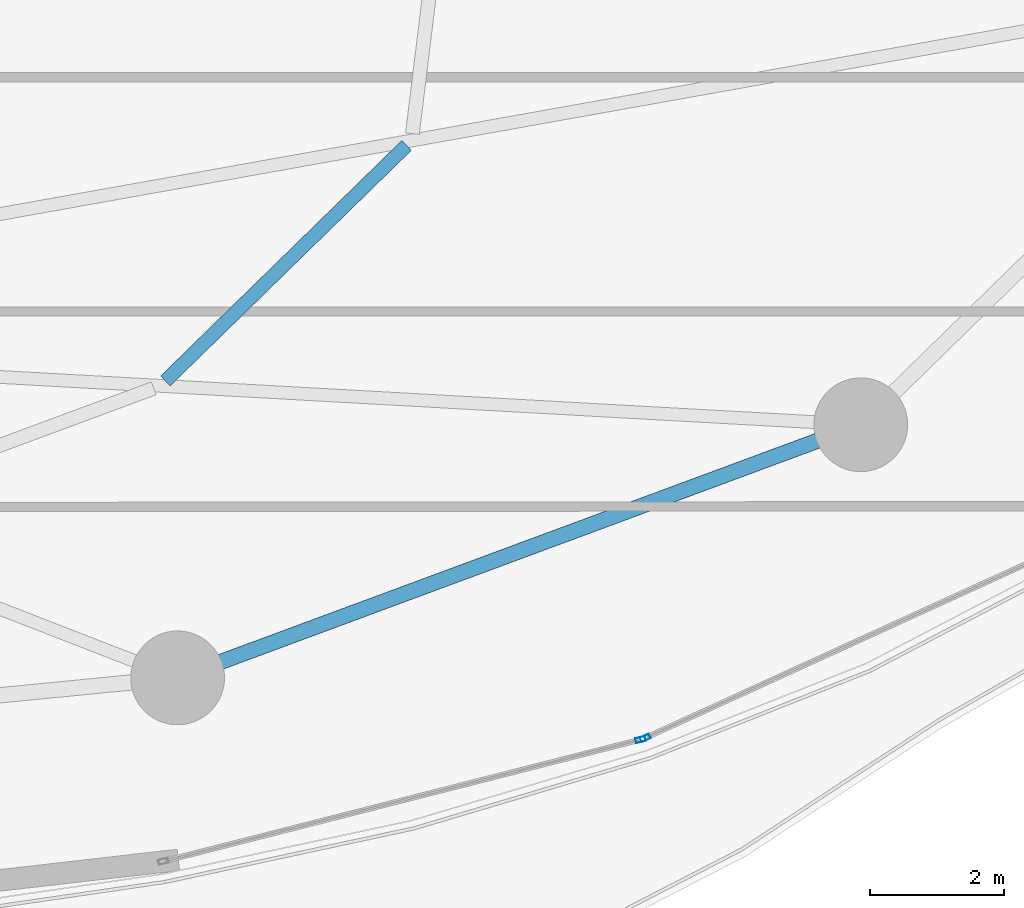
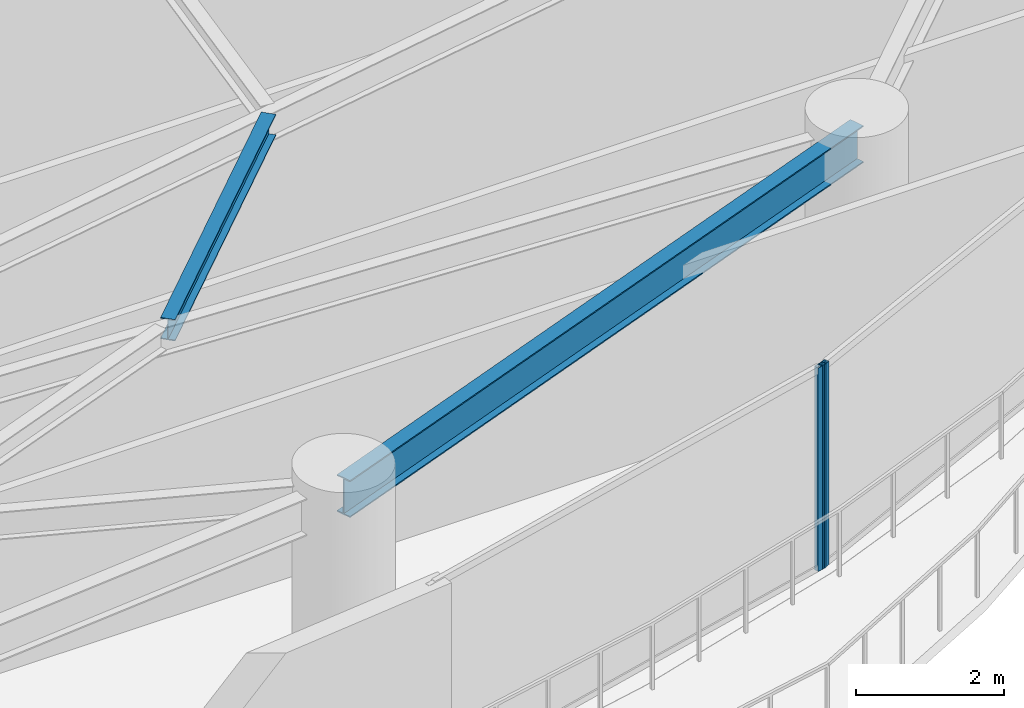
# One storey, part 13 of 32: 2 beams, 2 members, 2 elements without a shape of their own.
"""IFC4 building model written with IfcOpenShell, lengths in metres."""

from ifc_helpers import new_model, si_unit, direction, frame, origin, origin_2d, place, context, subcontext, project, spatial, hollow_rectangle, i_section, extrude, material, layer, layer_set, material_profile, profile_set, type_object, element, aggregate, save


model = new_model("IFC4")

# Units and contexts
model_context = context("Model", 3, precision=1e-05, world=origin(), true_north=direction((0.0, 1.0)))
body_context = subcontext(model_context, "Body", "Model", "MODEL_VIEW")
ifc_project = project(units=[si_unit("LENGTHUNIT", "METRE"), si_unit("AREAUNIT", "SQUARE_METRE"), si_unit("VOLUMEUNIT", "CUBIC_METRE"), si_unit("PLANEANGLEUNIT", "RADIAN"), si_unit("MASSUNIT", "GRAM", prefix="KILO")], contexts=[model_context])

# Site, building, storey
site_placement = place(None, origin())
site = spatial("IfcSite", under=ifc_project, at=site_placement, CompositionType="ELEMENT")
building_placement = place(site_placement, origin())
building = spatial("IfcBuilding", under=site, at=building_placement, Name="Kazevale Care Tower and Concert Hall", CompositionType="ELEMENT")
storey_placement = place(building_placement, frame((0.0, 0.0, 24.0)))
storey = spatial("IfcBuildingStorey", under=building, at=storey_placement, Name="L05", CompositionType="ELEMENT", Elevation=24.0)

# Curtain wall, member
ifc_material_1 = material(Name="Aluminium 6063-T6 and Low-E Glass", Category="aluminium")
ifc_layer = layer(ifc_material_1, 0.179931640625)
ifc_layer_set = layer_set([ifc_layer], Name="Aluminium 6063-T6 and Low-E Glass")
curtain_wall_type = type_object("IfcCurtainWallType", Name="Sheltered Concave Balcony Curtain Wall CW-5", PredefinedType="NOTDEFINED", material=ifc_layer_set)
curtain_wall_1_placement = place(storey_placement, origin())
curtain_wall_1 = element("IfcCurtainWall", 1, at=curtain_wall_1_placement, inside=storey, type_object=curtain_wall_type, Name="cw:L05:f03", PredefinedType="NOTDEFINED")
ifc_material_2 = material(Name="Aluminium 6063-T6", Category="aluminium")
ifc_material_profile_1 = material_profile(ifc_material_2, hollow_rectangle(XDim=0.074951171875, YDim=0.14990234375, WallThickness=0.00390625, at=origin_2d()), Name="ALU75x150x4")
ifc_profile_set_1 = profile_set([ifc_material_profile_1], Name="Aluminium 6063-T6")
member_type = type_object("IfcMemberType", Name="CW-5 Mullion ALU75x150x4", PredefinedType="MULLION", material=ifc_profile_set_1)
member_1_placement = place(storey_placement, frame((64.022216796875, 17.633544921875, 0.0), z_axis=(0.0, 0.0, 1.0), x_axis=(0.415659767773, -0.909520179795, 0.0)))
member_1 = element("IfcMember", 2, at=member_1_placement, type_object=member_type, Name="CW-5 mullion 2", PredefinedType="MULLION", context=body_context, shape_type="SweptSolid", body=[
    extrude(hollow_rectangle(XDim=0.074951171875, YDim=0.14990234375, WallThickness=0.00390625, at=origin_2d()), origin(), (0.0, 0.0, 1.0), 3.360107421875),
])
aggregate(curtain_wall_1, [member_1])

curtain_wall_2_placement = place(storey_placement, origin())
curtain_wall_2 = element("IfcCurtainWall", 3, at=curtain_wall_2_placement, inside=storey, type_object=curtain_wall_type, Name="cw:L05:f04", PredefinedType="NOTDEFINED")
member_2_placement = place(storey_placement, frame((63.95166015625, 17.608642578125, 0.0), z_axis=(0.0, 0.0, 1.0), x_axis=(0.247221864936, -0.968958899798, 0.0)))
member_2 = element("IfcMember", 4, at=member_2_placement, type_object=member_type, Name="CW-5 mullion 1", PredefinedType="MULLION", context=body_context, shape_type="SweptSolid", body=[
    extrude(hollow_rectangle(XDim=0.074951171875, YDim=0.14990234375, WallThickness=0.00390625, at=origin_2d()), origin(), (0.0, 0.0, 1.0), 3.360107421875),
])
aggregate(curtain_wall_2, [member_2])

# Beams
ifc_material_3 = material(Name="Steel ASTM A572 Gr 50", Category="steel")
ifc_material_profile_2 = material_profile(ifc_material_3, i_section(OverallWidth=0.22900390625, OverallDepth=0.612060546875, WebThickness=0.011962890625, FlangeThickness=0.01953125, at=origin_2d()), Name="W610x125")
ifc_profile_set_2 = profile_set([ifc_material_profile_2], Name="Steel ASTM A572 Gr 50")
beam_type_1 = type_object("IfcBeamType", Name="Ring Spandrel Beam W610x125", PredefinedType="SPANDREL", material=ifc_profile_set_2)
beam_1_placement = place(storey_placement, frame((57.0400390625, 18.530029296875, 3.053955078125), z_axis=(0.937680788596, 0.347497825458, 0.0), x_axis=(-0.347497825458, 0.937680788596, 0.0)))
element("IfcBeam", 5, at=beam_1_placement, inside=storey, type_object=beam_type_1, Name="beam:L05:ring:14", PredefinedType="SPANDREL", context=body_context, shape_type="SweptSolid", body=[
    extrude(i_section(OverallWidth=0.22900390625, OverallDepth=0.612060546875, WebThickness=0.011962890625, FlangeThickness=0.01953125, at=origin_2d()), origin(), (0.0, 0.0, 1.0), 10.8779296875),
])
ifc_material_profile_3 = material_profile(ifc_material_3, i_section(OverallWidth=0.205078125, OverallDepth=0.35400390625, WebThickness=0.009521484375, FlangeThickness=0.016845703125, at=origin_2d()), Name="W360x79")
ifc_profile_set_3 = profile_set([ifc_material_profile_3], Name="Steel ASTM A572 Gr 50")
beam_type_2 = type_object("IfcBeamType", Name="Secondary Floor Joist W360x79", PredefinedType="JOIST", material=ifc_profile_set_3)
beam_2_placement = place(storey_placement, frame((56.85693359375, 22.964111328125, 3.18310546875), z_axis=(0.715521089339, 0.698591132717, 0.0), x_axis=(-0.698591132717, 0.715521089339, 0.0)))
element("IfcBeam", 6, at=beam_2_placement, inside=storey, type_object=beam_type_2, Name="beam:L05:joist:15", PredefinedType="JOIST", context=body_context, shape_type="SweptSolid", body=[
    extrude(i_section(OverallWidth=0.205078125, OverallDepth=0.35400390625, WebThickness=0.009521484375, FlangeThickness=0.016845703125, at=origin_2d()), origin(), (0.0, 0.0, 1.0), 5.03271484375),
])

save(model, "model.ifc")
